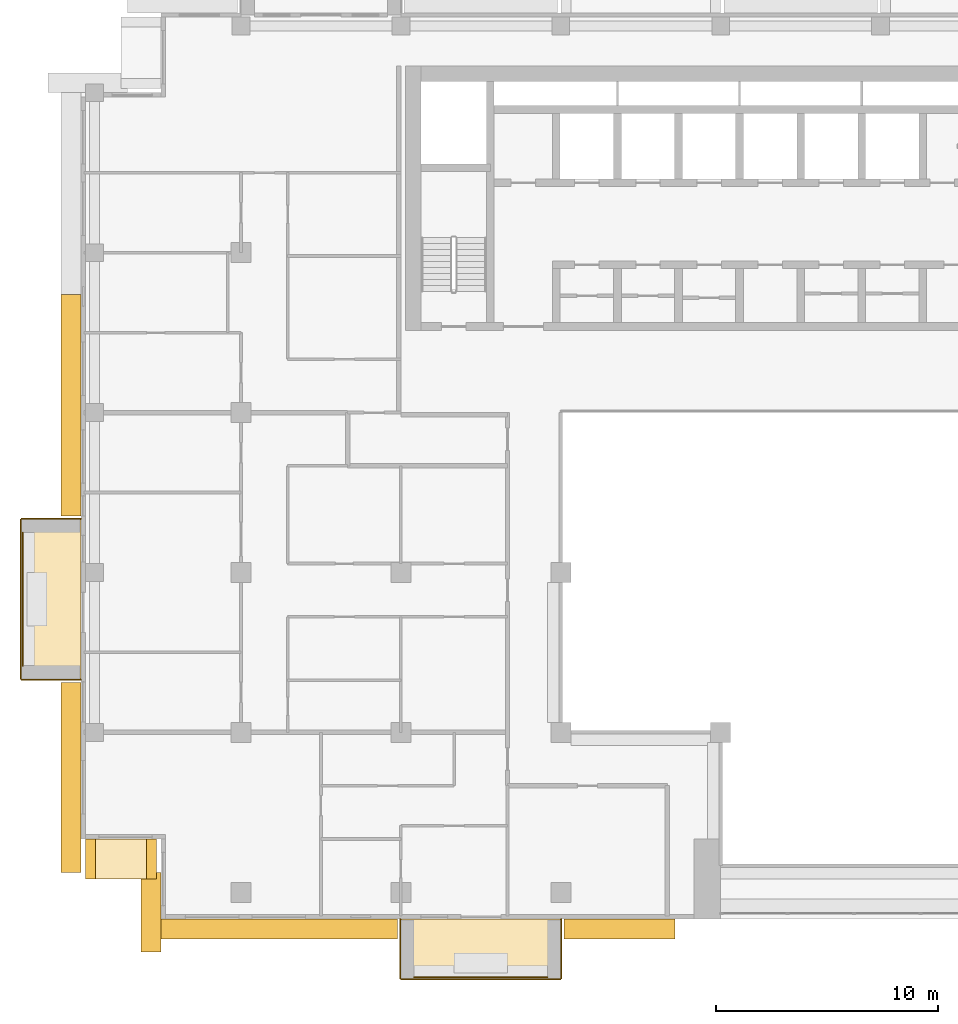
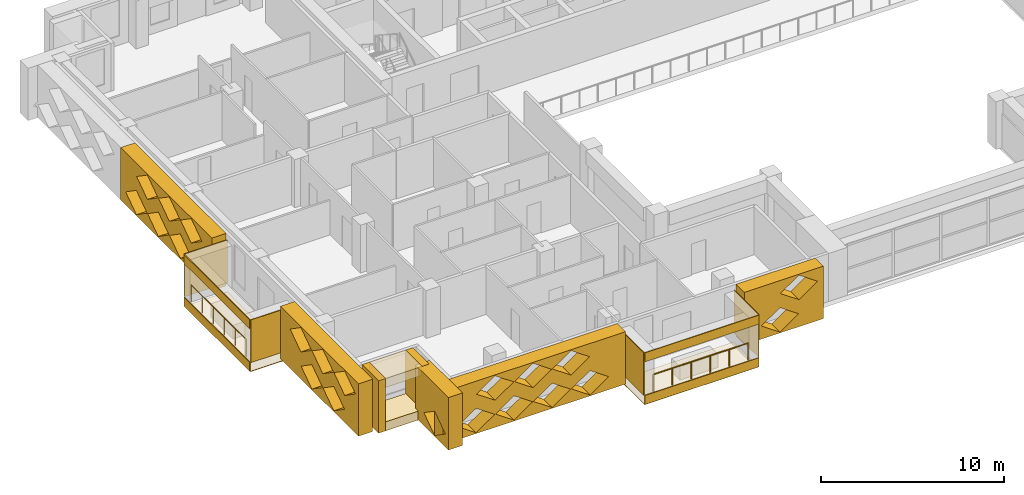
# One storey, part 14 of 20: 19 coverings, 2 railings.
"""IFC4 building model written with IfcOpenShell, lengths in metres."""

from ifc_helpers import new_model, si_unit, direction, frame, origin, origin_2d, place, context, subcontext, project, spatial, polyline, circle, outline, extrude, material, layer, layer_set, type_object, element, save


model = new_model("IFC4")

# Units and contexts
model_context = context("Model", 3, precision=1e-05, world=origin(), true_north=direction((0.0, 1.0)))
body_context = subcontext(model_context, "Body", "Model", "MODEL_VIEW")
ifc_project = project(units=[si_unit("LENGTHUNIT", "METRE"), si_unit("AREAUNIT", "SQUARE_METRE"), si_unit("VOLUMEUNIT", "CUBIC_METRE"), si_unit("PLANEANGLEUNIT", "RADIAN"), si_unit("MASSUNIT", "GRAM", prefix="KILO")], contexts=[model_context])

# Site, building, storey
site_placement = place(None, origin())
site = spatial("IfcSite", under=ifc_project, at=site_placement, CompositionType="ELEMENT")
building_placement = place(site_placement, origin())
building = spatial("IfcBuilding", under=site, at=building_placement, Name="Saffron Iwan Residences", CompositionType="ELEMENT")
storey_placement = place(building_placement, frame((0.0, 0.0, 199.0)))
storey = spatial("IfcBuildingStorey", under=building, at=storey_placement, Name="L53", CompositionType="ELEMENT", Elevation=199.0)

# Railings
ifc_material_1 = material(Name="Stainless steel 316", Category="steel")
railing_type = type_object("IfcRailingType", Name="BALCONY GUARD 1150", PredefinedType="GUARDRAIL", material=ifc_material_1)
railing_1_placement = place(storey_placement, frame((11.77490234375, 57.0, 0.0)))
element("IfcRailing", 1, at=railing_1_placement, inside=storey, type_object=railing_type, Name="Balcony guard L53 F8-1", PredefinedType="GUARDRAIL", context=body_context, shape_type="SweptSolid", body=[
    extrude(circle(Radius=0.02392578125, at=origin_2d()), frame((0.0, 0.0, 1.1259765625), z_axis=(0.0, -1.0, 0.0), x_axis=(1.0, 0.0, 0.0)), (0.0, 0.0, 1.0), 6.0),
    extrude(circle(Radius=0.02099609375, at=origin_2d()), origin(), (0.0, 0.0, 1.0), 1.101806640625),
    extrude(circle(Radius=0.02099609375, at=origin_2d()), frame((0.0, -1.199951171875, 0.0)), (0.0, 0.0, 1.0), 1.101806640625),
    extrude(circle(Radius=0.02099609375, at=origin_2d()), frame((0.0, -2.39990234375, 0.0)), (0.0, 0.0, 1.0), 1.101806640625),
    extrude(circle(Radius=0.02099609375, at=origin_2d()), frame((0.0, -3.60009765625, 0.0)), (0.0, 0.0, 1.0), 1.101806640625),
    extrude(circle(Radius=0.02099609375, at=origin_2d()), frame((0.0, -4.800048828125, 0.0)), (0.0, 0.0, 1.0), 1.101806640625),
    extrude(circle(Radius=0.02099609375, at=origin_2d()), frame((0.0, -6.0, 0.0)), (0.0, 0.0, 1.0), 1.101806640625),
])
railing_2_placement = place(storey_placement, frame((29.39990234375, 36.97509765625, 0.0)))
element("IfcRailing", 2, at=railing_2_placement, inside=storey, type_object=railing_type, Name="Balcony guard L53 11-0", PredefinedType="GUARDRAIL", context=body_context, shape_type="SweptSolid", body=[
    extrude(circle(Radius=0.02392578125, at=origin_2d()), frame((0.0, 0.0, 1.1259765625), z_axis=(1.0, 0.0, 0.0), x_axis=(0.0, 1.0, 0.0)), (0.0, 0.0, 1.0), 6.0),
    extrude(circle(Radius=0.02099609375, at=origin_2d()), origin(), (0.0, 0.0, 1.0), 1.101806640625),
    extrude(circle(Radius=0.02099609375, at=origin_2d()), frame((1.199951171875, 0.0, 0.0)), (0.0, 0.0, 1.0), 1.101806640625),
    extrude(circle(Radius=0.02099609375, at=origin_2d()), frame((2.39990234375, 0.0, 0.0)), (0.0, 0.0, 1.0), 1.101806640625),
    extrude(circle(Radius=0.02099609375, at=origin_2d()), frame((3.60009765625, 0.0, 0.0)), (0.0, 0.0, 1.0), 1.101806640625),
    extrude(circle(Radius=0.02099609375, at=origin_2d()), frame((4.800048828125, 0.0, 0.0)), (0.0, 0.0, 1.0), 1.101806640625),
    extrude(circle(Radius=0.02099609375, at=origin_2d()), frame((6.0, 0.0, 0.0)), (0.0, 0.0, 1.0), 1.101806640625),
])

# Coverings
ifc_material_2 = material(Name="Precast concrete C40/50 white painted", Category="concrete")
ifc_layer = layer(ifc_material_2, 0.050048828125)
ifc_layer_set = layer_set([ifc_layer], Name="Precast concrete C40/50 white painted")
covering_type_1 = type_object("IfcCoveringType", Name="FRAME SKIN PRECAST WHITE 50", PredefinedType="CLADDING", material=ifc_layer_set)
for number, where, name in (
    (3, (0.0, 0.0, -0.60009765625), "Frame skin slab edge L53 F8-1"),
    (4, (0.0, 0.0, 2.25), "Frame skin fascia L53 F8-1"),
):
    element("IfcCovering", number, at=place(storey_placement, frame(where)), inside=storey, type_object=covering_type_1, Name=name, PredefinedType="CLADDING", context=body_context, shape_type="SweptSolid", body=[
        extrude(outline(polyline([(11.64990234375, 57.60009765625), (11.64990234375, 50.39990234375), (11.699951171875, 50.39990234375), (11.699951171875, 57.60009765625), (11.64990234375, 57.60009765625)])), origin(), (0.0, 0.0, 1.0), 0.60009765625),
    ])
covering_1_placement = place(storey_placement, frame((0.0, 0.0, -0.64990234375)))
element("IfcCovering", 5, at=covering_1_placement, inside=storey, type_object=covering_type_1, Name="Frame skin soffit L53 F8-1", PredefinedType="CLADDING", context=body_context, shape_type="SweptSolid", body=[
    extrude(outline(polyline([(11.699951171875, 57.60009765625), (11.699951171875, 50.39990234375), (14.39990234375, 50.39990234375), (14.39990234375, 57.60009765625), (11.699951171875, 57.60009765625)])), origin(), (0.0, 0.0, 1.0), 0.0498046875),
])
covering_2_placement = place(storey_placement, origin())
element("IfcCovering", 6, at=covering_2_placement, inside=storey, type_object=covering_type_1, Name="Frame skin fin L53 F8-1a", PredefinedType="CLADDING", context=body_context, shape_type="SweptSolid", body=[
    extrude(outline(polyline([(11.699951171875, 57.64990234375), (11.699951171875, 57.60009765625), (14.39990234375, 57.60009765625), (14.39990234375, 57.64990234375), (11.699951171875, 57.64990234375)])), origin(), (0.0, 0.0, 1.0), 2.85009765625),
])
covering_3_placement = place(storey_placement, origin())
element("IfcCovering", 7, at=covering_3_placement, inside=storey, type_object=covering_type_1, Name="Frame skin fin L53 F8-1b", PredefinedType="CLADDING", context=body_context, shape_type="SweptSolid", body=[
    extrude(outline(polyline([(11.699951171875, 50.39990234375), (11.699951171875, 50.35009765625), (14.39990234375, 50.35009765625), (14.39990234375, 50.39990234375), (11.699951171875, 50.39990234375)])), origin(), (0.0, 0.0, 1.0), 2.85009765625),
])
for number, where, name in (
    (8, (0.0, 0.0, -0.60009765625), "Frame skin slab edge L53 11-0"),
    (9, (0.0, 0.0, 2.25), "Frame skin fascia L53 11-0"),
):
    element("IfcCovering", number, at=place(storey_placement, frame(where)), inside=storey, type_object=covering_type_1, Name=name, PredefinedType="CLADDING", context=body_context, shape_type="SweptSolid", body=[
        extrude(outline(polyline([(28.800048828125, 36.85009765625), (36.0, 36.85009765625), (36.0, 36.89990234375), (28.800048828125, 36.89990234375), (28.800048828125, 36.85009765625)])), origin(), (0.0, 0.0, 1.0), 0.60009765625),
    ])
covering_4_placement = place(storey_placement, frame((0.0, 0.0, -0.64990234375)))
element("IfcCovering", 10, at=covering_4_placement, inside=storey, type_object=covering_type_1, Name="Frame skin soffit L53 11-0", PredefinedType="CLADDING", context=body_context, shape_type="SweptSolid", body=[
    extrude(outline(polyline([(28.800048828125, 36.89990234375), (36.0, 36.89990234375), (36.0, 39.60009765625), (28.800048828125, 39.60009765625), (28.800048828125, 36.89990234375)])), origin(), (0.0, 0.0, 1.0), 0.0498046875),
])
covering_5_placement = place(storey_placement, origin())
element("IfcCovering", 11, at=covering_5_placement, inside=storey, type_object=covering_type_1, Name="Frame skin fin L53 11-0a", PredefinedType="CLADDING", context=body_context, shape_type="SweptSolid", body=[
    extrude(outline(polyline([(28.75, 36.89990234375), (28.800048828125, 36.89990234375), (28.800048828125, 39.60009765625), (28.75, 39.60009765625), (28.75, 36.89990234375)])), origin(), (0.0, 0.0, 1.0), 2.85009765625),
])
covering_6_placement = place(storey_placement, origin())
element("IfcCovering", 12, at=covering_6_placement, inside=storey, type_object=covering_type_1, Name="Frame skin fin L53 11-0b", PredefinedType="CLADDING", context=body_context, shape_type="SweptSolid", body=[
    extrude(outline(polyline([(36.0, 36.89990234375), (36.050048828125, 36.89990234375), (36.050048828125, 39.60009765625), (36.0, 39.60009765625), (36.0, 36.89990234375)])), origin(), (0.0, 0.0, 1.0), 2.85009765625),
])
ifc_material_3 = material(Name="Precast concrete C40/50", Category="concrete")
covering_type_2 = type_object("IfcCoveringType", Name="OUTER SKIN LATTICE SCREEN", PredefinedType="CLADDING", material=ifc_material_3)
covering_7_placement = place(storey_placement, frame((14.39990234375, 67.72509765625, -0.300048828125), z_axis=(-1.0, 0.0, 0.0), x_axis=(0.0, -1.0, 0.0)))
element("IfcCovering", 13, at=covering_7_placement, inside=storey, type_object=covering_type_2, Name="OUTER SKIN lattice screen L53 F8.1", PredefinedType="CLADDING", context=body_context, shape_type="SweptSolid", body=[
    extrude(outline(polyline([(0.0, 0.0), (9.97509765625, 0.0), (9.97509765625, 3.5), (0.0, 3.5), (0.0, 0.0)]), holes=[polyline([(0.544921875, 0.875), (1.72509765625, 0.06005859375), (2.905029296875, 0.875), (1.72509765625, 1.68994140625), (0.544921875, 0.875)]), polyline([(2.945068359375, 0.875), (4.125, 0.06005859375), (5.304931640625, 0.875), (4.125, 1.68994140625), (2.945068359375, 0.875)]), polyline([(5.344970703125, 0.875), (6.52490234375, 0.06005859375), (7.705078125, 0.875), (6.52490234375, 1.68994140625), (5.344970703125, 0.875)]), polyline([(1.7451171875, 2.625), (2.925048828125, 1.81005859375), (4.10498046875, 2.625), (2.925048828125, 3.43994140625), (1.7451171875, 2.625)]), polyline([(4.14501953125, 2.625), (5.324951171875, 1.81005859375), (6.5048828125, 2.625), (5.324951171875, 3.43994140625), (4.14501953125, 2.625)]), polyline([(6.544921875, 2.625), (7.72509765625, 1.81005859375), (8.905029296875, 2.625), (7.72509765625, 3.43994140625), (6.544921875, 2.625)])]), origin(), (0.0, 0.0, 1.0), 0.89990234375),
])
covering_8_placement = place(storey_placement, frame((14.39990234375, 50.25, -0.300048828125), z_axis=(-1.0, 0.0, 0.0), x_axis=(0.0, -1.0, 0.0)))
element("IfcCovering", 14, at=covering_8_placement, inside=storey, type_object=covering_type_2, Name="OUTER SKIN lattice screen L53 F8.2", PredefinedType="CLADDING", context=body_context, shape_type="SweptSolid", body=[
    extrude(outline(polyline([(0.0, 0.0), (8.550048828125, 0.0), (8.550048828125, 3.5), (0.0, 3.5), (0.0, 0.0)]), holes=[polyline([(2.27001953125, 0.875), (3.449951171875, 0.06005859375), (4.6298828125, 0.875), (3.449951171875, 1.68994140625), (2.27001953125, 0.875)]), polyline([(4.669921875, 0.875), (5.85009765625, 0.06005859375), (7.030029296875, 0.875), (5.85009765625, 1.68994140625), (4.669921875, 0.875)]), polyline([(1.070068359375, 2.625), (2.25, 1.81005859375), (3.429931640625, 2.625), (2.25, 3.43994140625), (1.070068359375, 2.625)]), polyline([(3.469970703125, 2.625), (4.64990234375, 1.81005859375), (5.830078125, 2.625), (4.64990234375, 3.43994140625), (3.469970703125, 2.625)]), polyline([(5.8701171875, 2.625), (7.050048828125, 1.81005859375), (8.22998046875, 2.625), (7.050048828125, 3.43994140625), (5.8701171875, 2.625)])]), origin(), (0.0, 0.0, 1.0), 0.89990234375),
])
covering_9_placement = place(storey_placement, frame((18.0, 41.699951171875, -0.300048828125), z_axis=(-1.0, 0.0, 0.0), x_axis=(0.0, -1.0, 0.0)))
element("IfcCovering", 15, at=covering_9_placement, inside=storey, type_object=covering_type_2, Name="OUTER SKIN lattice screen L53 F10.0", PredefinedType="CLADDING", context=body_context, shape_type="SweptSolid", body=[
    extrude(outline(polyline([(0.0, 0.0), (3.60009765625, 0.0), (3.60009765625, 3.5), (0.0, 3.5), (0.0, 0.0)]), holes=[polyline([(0.919921875, 0.875), (2.10009765625, 0.06005859375), (3.280029296875, 0.875), (2.10009765625, 1.68994140625), (0.919921875, 0.875)])]), origin(), (0.0, 0.0, 1.0), 0.89990234375),
])
covering_10_placement = place(storey_placement, frame((17.10009765625, 39.60009765625, -0.300048828125), z_axis=(0.0, -1.0, 0.0), x_axis=(1.0, 0.0, 0.0)))
element("IfcCovering", 16, at=covering_10_placement, inside=storey, type_object=covering_type_2, Name="OUTER SKIN lattice screen L53 F11.0", PredefinedType="CLADDING", context=body_context, shape_type="SweptSolid", body=[
    extrude(outline(polyline([(0.0, 0.0), (11.550048828125, 0.0), (11.550048828125, 3.5), (0.0, 3.5), (0.0, 0.0)]), holes=[polyline([(0.919921875, 0.875), (2.10009765625, 0.06005859375), (3.280029296875, 0.875), (2.10009765625, 1.68994140625), (0.919921875, 0.875)]), polyline([(3.320068359375, 0.875), (4.5, 0.06005859375), (5.679931640625, 0.875), (4.5, 1.68994140625), (3.320068359375, 0.875)]), polyline([(5.719970703125, 0.875), (6.89990234375, 0.06005859375), (8.080078125, 0.875), (6.89990234375, 1.68994140625), (5.719970703125, 0.875)]), polyline([(8.1201171875, 0.875), (9.300048828125, 0.06005859375), (10.47998046875, 0.875), (9.300048828125, 1.68994140625), (8.1201171875, 0.875)]), polyline([(2.1201171875, 2.625), (3.300048828125, 1.81005859375), (4.47998046875, 2.625), (3.300048828125, 3.43994140625), (2.1201171875, 2.625)]), polyline([(4.52001953125, 2.625), (5.699951171875, 1.81005859375), (6.8798828125, 2.625), (5.699951171875, 3.43994140625), (4.52001953125, 2.625)]), polyline([(6.919921875, 2.625), (8.10009765625, 1.81005859375), (9.280029296875, 2.625), (8.10009765625, 3.43994140625), (6.919921875, 2.625)])]), origin(), (0.0, 0.0, 1.0), 0.900146484375),
])
covering_11_placement = place(storey_placement, frame((36.14990234375, 39.60009765625, -0.300048828125), z_axis=(0.0, -1.0, 0.0), x_axis=(1.0, 0.0, 0.0)))
element("IfcCovering", 17, at=covering_11_placement, inside=storey, type_object=covering_type_2, Name="OUTER SKIN lattice screen L53 F11.1", PredefinedType="CLADDING", context=body_context, shape_type="SweptSolid", body=[
    extrude(outline(polyline([(0.0, 0.0), (5.0, 0.0), (5.0, 3.5), (0.0, 3.5), (0.0, 0.0)]), holes=[polyline([(1.070068359375, 0.875), (2.25, 0.06005859375), (3.429931640625, 0.875), (2.25, 1.68994140625), (1.070068359375, 0.875)]), polyline([(2.27001953125, 2.625), (3.449951171875, 1.81005859375), (4.6298828125, 2.625), (3.449951171875, 3.43994140625), (2.27001953125, 2.625)])]), origin(), (0.0, 0.0, 1.0), 0.900146484375),
])
covering_type_3 = type_object("IfcCoveringType", Name="WHITE SUN FRAME PRECAST", PredefinedType="CLADDING", material=ifc_material_2)
for number, where, z_axis, x_axis, name in (
    (18, (14.60009765625, 43.199951171875, -0.300048828125), (0.0, -1.0, 0.0), (1.0, 0.0, 0.0), "Sun frame L53 F9 0.2a"),
    (19, (17.35009765625, 43.199951171875, -0.300048828125), (0.0, -1.0, 0.0), (1.0, 0.0, 0.0), "Sun frame L53 F9 0.2b"),
):
    element("IfcCovering", number, at=place(storey_placement, frame(where, z_axis=z_axis, x_axis=x_axis)), inside=storey, type_object=covering_type_3, Name=name, PredefinedType="CLADDING", context=body_context, shape_type="SweptSolid", body=[
        extrude(outline(polyline([(0.0, 0.0), (0.449951171875, 0.0), (0.449951171875, 3.5), (0.0, 3.5), (0.0, 0.0)])), origin(), (0.0, 0.0, 1.0), 1.800048828125),
    ])
for number, where, z_axis, x_axis, name in (
    (20, (15.050048828125, 43.199951171875, 2.60009765625), (0.0, -1.0, 0.0), (1.0, 0.0, 0.0), "Sun frame L53 F9 0.2h"),
    (21, (15.050048828125, 43.199951171875, -0.300048828125), (0.0, -1.0, 0.0), (1.0, 0.0, 0.0), "Sun frame L53 F9 0.2s"),
):
    element("IfcCovering", number, at=place(storey_placement, frame(where, z_axis=z_axis, x_axis=x_axis)), inside=storey, type_object=covering_type_3, Name=name, PredefinedType="CLADDING", context=body_context, shape_type="SweptSolid", body=[
        extrude(outline(polyline([(0.0, 0.0), (2.300048828125, 0.0), (2.300048828125, 0.60009765625), (0.0, 0.60009765625), (0.0, 0.0)])), origin(), (0.0, 0.0, 1.0), 1.800048828125),
    ])

save(model, "model.ifc")
